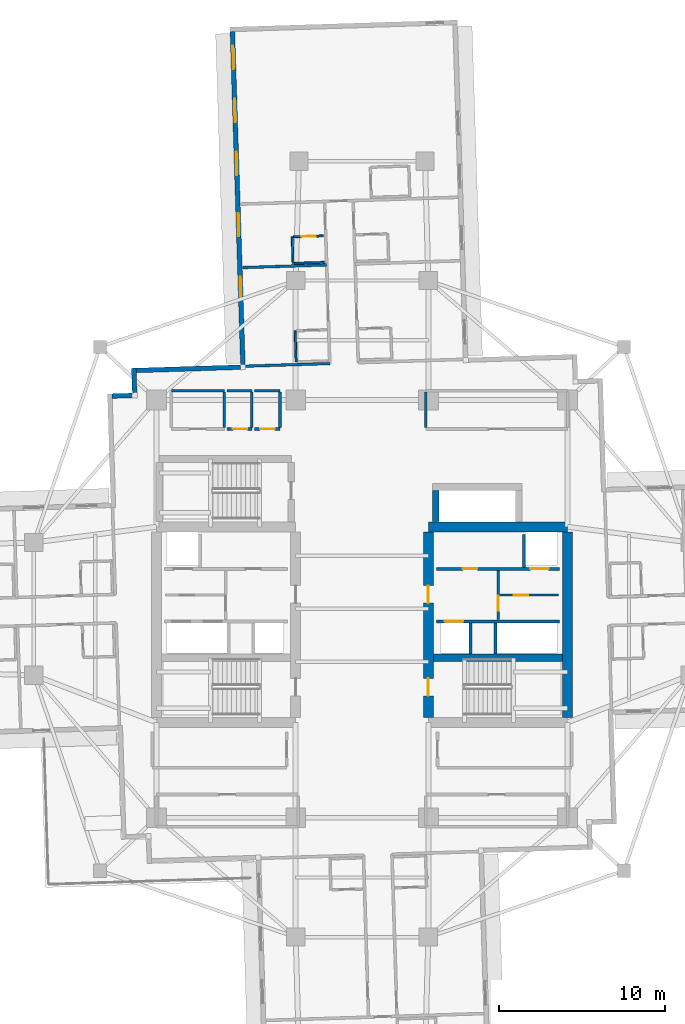
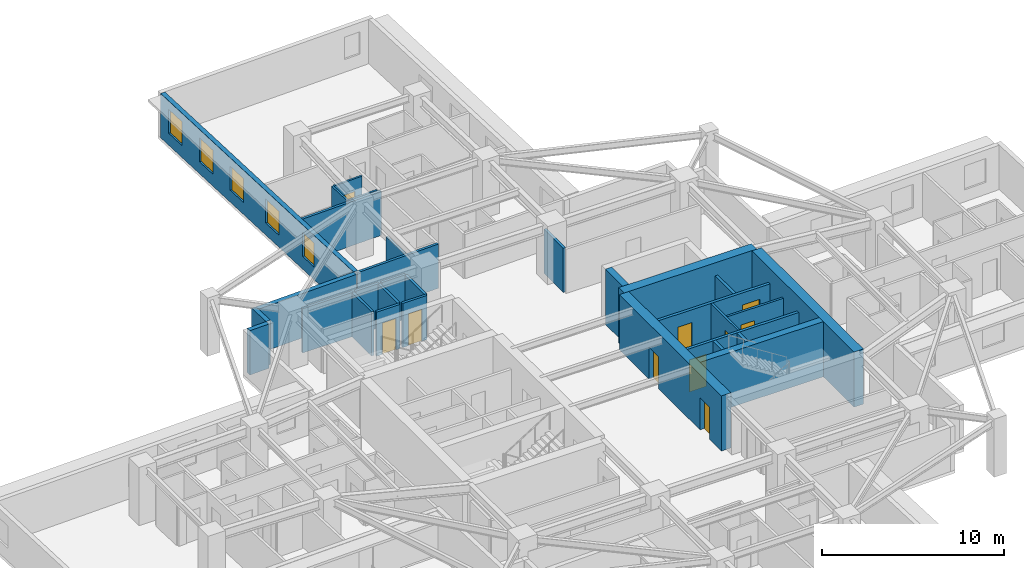
# One storey, part 6 of 14: 31 walls, 10 doors, 5 windows, 15 openings.
"""IFC4 building model written with IfcOpenShell, lengths in metres."""

from ifc_helpers import new_model, si_unit, direction, frame, frame_2d, origin, place, context, subcontext, project, spatial, rectangle, extrude, material, layer, layer_set, type_object, element, fill, save


model = new_model("IFC4")

# Units and contexts
model_context = context("Model", 3, precision=1e-05, world=origin(), true_north=direction((0.0, 1.0)))
body_context = subcontext(model_context, "Body", "Model", "MODEL_VIEW")
ifc_project = project(units=[si_unit("LENGTHUNIT", "METRE"), si_unit("AREAUNIT", "SQUARE_METRE"), si_unit("VOLUMEUNIT", "CUBIC_METRE"), si_unit("PLANEANGLEUNIT", "RADIAN"), si_unit("MASSUNIT", "GRAM", prefix="KILO")], contexts=[model_context])

# Site, building, storey
site_placement = place(None, origin())
site = spatial("IfcSite", under=ifc_project, at=site_placement, CompositionType="ELEMENT")
building_placement = place(site_placement, origin())
building = spatial("IfcBuilding", under=site, at=building_placement, Name="Qingluan Cross Belvedere", CompositionType="ELEMENT")
storey_placement = place(building_placement, frame((0.0, 0.0, 112.5)))
storey = spatial("IfcBuildingStorey", under=building, at=storey_placement, Name="L28", CompositionType="ELEMENT", Elevation=112.5)

# Walls
ifc_material_1 = material(Name="Concrete C50", Category="concrete")
ifc_layer_1 = layer(ifc_material_1, 0.449951171875, Name="CoreShearWall_450")
ifc_layer_set_1 = layer_set([ifc_layer_1], Name="Concrete C50")
wall_type_1 = type_object("IfcWallType", Name="CoreShearWall_450", PredefinedType="SHEAR", material=ifc_layer_set_1)
wall_1_placement = place(storey_placement, frame((4.304931640625, -2.9599609375, 0.0), z_axis=(0.0, 0.0, 1.0), x_axis=(1.0, 0.0, 0.0)))
element("IfcWall", 1, at=wall_1_placement, inside=storey, type_object=wall_type_1, Name="Split core E shear wall L28-M", PredefinedType="SHEAR", context=body_context, shape_type="SweptSolid", body=[
    extrude(rectangle(XDim=7.7900390625, YDim=0.449951171875, at=frame_2d((3.89501953125, 0.0))), origin(), (0.0, 0.0, 1.0), 3.699951171875),
])
wall_2_placement = place(storey_placement, frame((4.449951171875, 5.2548828125, 0.0), z_axis=(0.0, 0.0, 1.0), x_axis=(0.0, 1.0, 0.0)))
element("IfcWall", 2, at=wall_2_placement, inside=storey, type_object=wall_type_1, Name="Express shuttle core wall L28-W", PredefinedType="SHEAR", context=body_context, shape_type="SweptSolid", body=[
    extrude(rectangle(XDim=1.885009765625, YDim=0.39990234375, at=frame_2d((0.9423828125, 0.0))), origin(), (0.0, 0.0, 1.0), 3.699951171875),
])
ifc_material_2 = material(Name="Concrete C60", Category="concrete")
ifc_layer_2 = layer(ifc_material_2, 0.60009765625, Name="CoreShearWall_600")
ifc_layer_set_2 = layer_set([ifc_layer_2], Name="Concrete C60")
wall_type_2 = type_object("IfcWallType", Name="CoreShearWall_600", PredefinedType="SHEAR", material=ifc_layer_set_2)
wall_3_placement = place(storey_placement, frame((4.0, 4.949951171875, 0.0), z_axis=(0.0, 0.0, 1.0), x_axis=(1.0, 0.0, 0.0)))
element("IfcWall", 3, at=wall_3_placement, inside=storey, type_object=wall_type_2, Name="Split core E shear wall L28-N", PredefinedType="SHEAR", context=body_context, shape_type="SweptSolid", body=[
    extrude(rectangle(XDim=8.39990234375, YDim=0.60009765625, at=frame_2d((4.199951171875, 0.0))), origin(), (0.0, 0.0, 1.0), 3.699951171875),
])

# Wall, openings, doors
wall_4_placement = place(storey_placement, frame((4.0, -6.544921875, 0.0), z_axis=(0.0, 0.0, 1.0), x_axis=(0.0, 1.0, 0.0)))
wall_4 = element("IfcWall", 4, at=wall_4_placement, inside=storey, type_object=wall_type_2, Name="Split core E shear wall L28-W", PredefinedType="SHEAR", context=body_context, shape_type="SweptSolid", body=[
    extrude(rectangle(XDim=11.18994140625, YDim=0.60009765625, at=frame_2d((5.594970703125, 0.0))), origin(), (0.0, 0.0, 1.0), 3.699951171875),
])
opening_1_placement = place(wall_4_placement, frame((1.294921875, 0.0, 0.0)))
opening_1 = element("IfcOpeningElement", 5, at=opening_1_placement, cuts=wall_4, Name="Opening FD-B11", PredefinedType="OPENING", context=body_context, shape_type="SweptSolid", body=[
    extrude(rectangle(XDim=1.050048828125, YDim=2.14990234375, at=frame_2d((0.52490234375, 1.074951171875))), frame((0.0, 0.31005859375, 0.0), z_axis=(0.0, -1.0, 0.0), x_axis=(1.0, 0.0, 0.0)), (0.0, 0.0, 1.0), 0.6201171875),
])
opening_2_placement = place(wall_4_placement, frame((6.89501953125, 0.0, 0.0)))
opening_2 = element("IfcOpeningElement", 6, at=opening_2_placement, cuts=wall_4, Name="Opening FD-B11", PredefinedType="OPENING", context=body_context, shape_type="SweptSolid", body=[
    extrude(rectangle(XDim=1.050048828125, YDim=2.14990234375, at=frame_2d((0.52490234375, 1.074951171875))), frame((0.0, 0.31005859375, 0.0), z_axis=(0.0, -1.0, 0.0), x_axis=(1.0, 0.0, 0.0)), (0.0, 0.0, 1.0), 0.6201171875),
])
ifc_material_3 = material(Name="Steel Class B smoke-seal fire door", Category="steel")
door_type_1 = type_object("IfcDoorType", Name="StairLobbyFireDoor_FDB", OperationType="NOTDEFINED", PredefinedType="DOOR", material=ifc_material_3)
door_1_placement = place(opening_1_placement, origin())
door_1 = element("IfcDoor", 7, at=door_1_placement, inside=storey, type_object=door_type_1, Name="Smoke-proof stair ST2 fire door L28", OperationType="SINGLE_SWING_LEFT", OverallHeight=2.14990234375, OverallWidth=1.050048828125, PredefinedType="DOOR", context=body_context, shape_type="SweptSolid", body=[
    extrude(rectangle(XDim=1.050048828125, YDim=2.14990234375, at=frame_2d((0.52490234375, 1.074951171875))), frame((0.0, 0.02490234375, 0.0), z_axis=(0.0, -1.0, 0.0), x_axis=(1.0, 0.0, 0.0)), (0.0, 0.0, 1.0), 0.050048828125),
])
fill(opening_1, door_1)
door_2_placement = place(opening_2_placement, origin())
door_2 = element("IfcDoor", 8, at=door_2_placement, inside=storey, type_object=door_type_1, Name="Firefighting lobby East fire door L28", OperationType="SINGLE_SWING_LEFT", OverallHeight=2.14990234375, OverallWidth=1.050048828125, PredefinedType="DOOR", context=body_context, shape_type="SweptSolid", body=[
    extrude(rectangle(XDim=1.050048828125, YDim=2.14990234375, at=frame_2d((0.52490234375, 1.074951171875))), frame((0.0, 0.02490234375, 0.0), z_axis=(0.0, -1.0, 0.0), x_axis=(1.0, 0.0, 0.0)), (0.0, 0.0, 1.0), 0.050048828125),
])
fill(opening_2, door_2)

# Wall
wall_5_placement = place(storey_placement, frame((12.39990234375, -6.544921875, 0.0), z_axis=(0.0, 0.0, 1.0), x_axis=(0.0, 1.0, 0.0)))
element("IfcWall", 9, at=wall_5_placement, inside=storey, type_object=wall_type_2, Name="Split core E shear wall L28-E", PredefinedType="SHEAR", context=body_context, shape_type="SweptSolid", body=[
    extrude(rectangle(XDim=11.18994140625, YDim=0.60009765625, at=frame_2d((5.594970703125, 0.0))), origin(), (0.0, 0.0, 1.0), 3.699951171875),
])

# Wall, opening, door
ifc_material_4 = material(Name="Gypsum plasterboard on steel stud acoustic partition", Category="steel")
ifc_layer_3 = layer(ifc_material_4, 0.159912109375, Name="CorridorPartition_160")
ifc_layer_set_3 = layer_set([ifc_layer_3], Name="Gypsum plasterboard on steel stud acoustic partition")
wall_type_3 = type_object("IfcWallType", Name="CorridorPartition_160", PredefinedType="PARTITIONING", material=ifc_layer_set_3)
wall_6_placement = place(storey_placement, frame((8.298095703125, 0.830078125, 0.0), z_axis=(0.0, 0.0, 1.0), x_axis=(1.0, 0.0, 0.0)))
wall_6 = element("IfcWall", 10, at=wall_6_placement, inside=storey, type_object=wall_type_3, Name="Partition L28:e", PredefinedType="PARTITIONING", context=body_context, shape_type="SweptSolid", body=[
    extrude(rectangle(XDim=3.552001953125, YDim=0.139892578125, at=frame_2d((1.77587890625, 0.0))), origin(), (0.0, 0.0, 1.0), 2.9599609375),
])
opening_3_placement = place(wall_6_placement, frame((0.85009765625, 0.0, 0.0)))
opening_3 = element("IfcOpeningElement", 11, at=opening_3_placement, cuts=wall_6, Name="Opening FD-B10", PredefinedType="OPENING", context=body_context, shape_type="SweptSolid", body=[
    extrude(rectangle(XDim=0.8798828125, YDim=2.10009765625, at=frame_2d((0.43994140625, 1.050048828125))), frame((0.0, 0.079833984375, 0.0), z_axis=(0.0, -1.0, 0.0), x_axis=(1.0, 0.0, 0.0)), (0.0, 0.0, 1.0), 0.159912109375),
])
ifc_material_5 = material(Name="Steel Class B service fire door", Category="steel")
door_type_2 = type_object("IfcDoorType", Name="RiserServiceFireDoor_FDB", OperationType="NOTDEFINED", PredefinedType="DOOR", material=ifc_material_5)
door_3_placement = place(opening_3_placement, origin())
door_3 = element("IfcDoor", 12, at=door_3_placement, inside=storey, type_object=door_type_2, Name="Service closet inner door L28", OperationType="SINGLE_SWING_RIGHT", OverallHeight=2.10009765625, OverallWidth=0.8798828125, PredefinedType="DOOR", context=body_context, shape_type="SweptSolid", body=[
    extrude(rectangle(XDim=0.8798828125, YDim=2.10009765625, at=frame_2d((0.43994140625, 1.050048828125))), frame((0.0, 0.02490234375, 0.0), z_axis=(0.0, -1.0, 0.0), x_axis=(1.0, 0.0, 0.0)), (0.0, 0.0, 1.0), 0.050048828125),
])
fill(opening_3, door_3)

# Walls
wall_7_placement = place(storey_placement, frame((-11.5, 13.14990234375, 0.0), z_axis=(0.0, 0.0, 1.0), x_axis=(1.0, 0.0, 0.0)))
element("IfcWall", 13, at=wall_7_placement, inside=storey, type_object=wall_type_3, Name="Partition L28:q_nw_occ:N", PredefinedType="PARTITIONING", context=body_context, shape_type="SweptSolid", body=[
    extrude(rectangle(XDim=3.199951171875, YDim=0.159912109375, at=frame_2d((1.60009765625, 0.0))), origin(), (0.0, 0.0, 1.0), 2.9599609375),
])
wall_8_placement = place(storey_placement, frame((-8.300048828125, 10.93505859375, 0.0), z_axis=(0.0, 0.0, 1.0), x_axis=(0.0, 1.0, 0.0)))
element("IfcWall", 14, at=wall_8_placement, inside=storey, type_object=wall_type_3, Name="Partition L28:q_nw_occ:E", PredefinedType="PARTITIONING", context=body_context, shape_type="SweptSolid", body=[
    extrude(rectangle(XDim=2.1298828125, YDim=0.159912109375, at=frame_2d((1.06494140625, 0.0))), origin(), (0.0, 0.0, 1.0), 2.9599609375),
])

# Wall, opening, door
wall_9_placement = place(storey_placement, frame((-8.139892578125, 10.85009765625, 0.0), z_axis=(0.0, 0.0, 1.0), x_axis=(1.0, 0.0, 0.0)))
wall_9 = element("IfcWall", 15, at=wall_9_placement, inside=storey, type_object=wall_type_3, Name="Partition L28:hk_linen:S", PredefinedType="PARTITIONING", context=body_context, shape_type="SweptSolid", body=[
    extrude(rectangle(XDim=1.489990234375, YDim=0.159912109375, at=frame_2d((0.7451171875, 0.0))), origin(), (0.0, 0.0, 1.0), 2.9599609375),
])
opening_4_placement = place(wall_9_placement, frame((0.35009765625, 0.0, 0.0)))
opening_4 = element("IfcOpeningElement", 16, at=opening_4_placement, cuts=wall_9, Name="Opening FD-B10", PredefinedType="OPENING", context=body_context, shape_type="SweptSolid", body=[
    extrude(rectangle(XDim=0.8798828125, YDim=2.10009765625, at=frame_2d((0.43994140625, 1.050048828125))), frame((0.0, 0.08984375, 0.0), z_axis=(0.0, -1.0, 0.0), x_axis=(1.0, 0.0, 0.0)), (0.0, 0.0, 1.0), 0.179931640625),
])
door_4_placement = place(opening_4_placement, origin())
door_4 = element("IfcDoor", 17, at=door_4_placement, inside=storey, type_object=door_type_2, Name="Housekeeping and linen store L28 door", OperationType="SINGLE_SWING_LEFT", OverallHeight=2.10009765625, OverallWidth=0.8798828125, PredefinedType="DOOR", context=body_context, shape_type="SweptSolid", body=[
    extrude(rectangle(XDim=0.8798828125, YDim=2.10009765625, at=frame_2d((0.43994140625, 1.050048828125))), frame((0.0, 0.02490234375, 0.0), z_axis=(0.0, -1.0, 0.0), x_axis=(1.0, 0.0, 0.0)), (0.0, 0.0, 1.0), 0.050048828125),
])
fill(opening_4, door_4)

# Walls
wall_10_placement = place(storey_placement, frame((-8.139892578125, 13.14990234375, 0.0), z_axis=(0.0, 0.0, 1.0), x_axis=(1.0, 0.0, 0.0)))
element("IfcWall", 18, at=wall_10_placement, inside=storey, type_object=wall_type_3, Name="Partition L28:hk_linen:N", PredefinedType="PARTITIONING", context=body_context, shape_type="SweptSolid", body=[
    extrude(rectangle(XDim=1.489990234375, YDim=0.159912109375, at=frame_2d((0.7451171875, 0.0))), origin(), (0.0, 0.0, 1.0), 2.9599609375),
])
wall_11_placement = place(storey_placement, frame((-6.64990234375, 10.93505859375, 0.0), z_axis=(0.0, 0.0, 1.0), x_axis=(0.0, 1.0, 0.0)))
element("IfcWall", 19, at=wall_11_placement, inside=storey, type_object=wall_type_3, Name="Partition L28:hk_linen:E", PredefinedType="PARTITIONING", context=body_context, shape_type="SweptSolid", body=[
    extrude(rectangle(XDim=2.1298828125, YDim=0.159912109375, at=frame_2d((1.06494140625, 0.0))), origin(), (0.0, 0.0, 1.0), 2.9599609375),
])

# Wall, opening, door
wall_12_placement = place(storey_placement, frame((-6.489990234375, 10.85009765625, 0.0), z_axis=(0.0, 0.0, 1.0), x_axis=(1.0, 0.0, 0.0)))
wall_12 = element("IfcWall", 20, at=wall_12_placement, inside=storey, type_object=wall_type_3, Name="Partition L28:floor_acc_wc:S", PredefinedType="PARTITIONING", context=body_context, shape_type="SweptSolid", body=[
    extrude(rectangle(XDim=1.5400390625, YDim=0.159912109375, at=frame_2d((0.77001953125, 0.0))), origin(), (0.0, 0.0, 1.0), 2.9599609375),
])
opening_5_placement = place(wall_12_placement, frame((0.35009765625, 0.0, 0.0)))
opening_5 = element("IfcOpeningElement", 21, at=opening_5_placement, cuts=wall_12, Name="Opening BD-08", PredefinedType="OPENING", context=body_context, shape_type="SweptSolid", body=[
    extrude(rectangle(XDim=0.8798828125, YDim=2.14990234375, at=frame_2d((0.43994140625, 1.074951171875))), frame((0.0, 0.08984375, 0.0), z_axis=(0.0, -1.0, 0.0), x_axis=(1.0, 0.0, 0.0)), (0.0, 0.0, 1.0), 0.179931640625),
])
ifc_material_6 = material(Name="Moisture-sealed timber accessible WC door", Category="wood")
door_type_3 = type_object("IfcDoorType", Name="AccessibleWCDoor_880", OperationType="NOTDEFINED", PredefinedType="DOOR", material=ifc_material_6)
door_5_placement = place(opening_5_placement, origin())
door_5 = element("IfcDoor", 22, at=door_5_placement, inside=storey, type_object=door_type_3, Name="Accessible guest washroom L28 door", OperationType="SINGLE_SWING_RIGHT", OverallHeight=2.14990234375, OverallWidth=0.8798828125, PredefinedType="DOOR", context=body_context, shape_type="SweptSolid", body=[
    extrude(rectangle(XDim=0.8798828125, YDim=2.14990234375, at=frame_2d((0.43994140625, 1.074951171875))), frame((0.0, 0.02490234375, 0.0), z_axis=(0.0, -1.0, 0.0), x_axis=(1.0, 0.0, 0.0)), (0.0, 0.0, 1.0), 0.050048828125),
])
fill(opening_5, door_5)

# Walls
wall_13_placement = place(storey_placement, frame((-6.489990234375, 13.14990234375, 0.0), z_axis=(0.0, 0.0, 1.0), x_axis=(1.0, 0.0, 0.0)))
element("IfcWall", 23, at=wall_13_placement, inside=storey, type_object=wall_type_3, Name="Partition L28:floor_acc_wc:N", PredefinedType="PARTITIONING", context=body_context, shape_type="SweptSolid", body=[
    extrude(rectangle(XDim=1.5400390625, YDim=0.159912109375, at=frame_2d((0.77001953125, 0.0))), origin(), (0.0, 0.0, 1.0), 2.9599609375),
])
for number, where, z_axis, x_axis, name in (
    (24, (-4.949951171875, 10.93505859375, 0.0), (0.0, 0.0, 1.0), (0.0, 1.0, 0.0), "Partition L28:floor_acc_wc:E"),
    (25, (3.85009765625, 10.93505859375, 0.0), (0.0, 0.0, 1.0), (0.0, 1.0, 0.0), "Partition L28:q_ne:W"),
):
    element("IfcWall", number, at=place(storey_placement, frame(where, z_axis=z_axis, x_axis=x_axis)), inside=storey, type_object=wall_type_3, Name=name, PredefinedType="PARTITIONING", context=body_context, shape_type="SweptSolid", body=[
        extrude(rectangle(XDim=2.1298828125, YDim=0.159912109375, at=frame_2d((1.06494140625, 0.0))), origin(), (0.0, 0.0, 1.0), 2.9599609375),
    ])
wall_14_placement = place(storey_placement, frame((-1.94580078125, 14.796142578125, 0.0), z_axis=(0.0, 0.0, 1.0), x_axis=(-0.999506788914, -0.031403485723, 0.0)))
element("IfcWall", 26, at=wall_14_placement, inside=storey, type_object=wall_type_3, Name="Partition L28:N:s1", PredefinedType="PARTITIONING", context=body_context, shape_type="SweptSolid", body=[
    extrude(rectangle(XDim=5.239990234375, YDim=0.159912109375, at=frame_2d((2.6201171875, 0.0))), origin(), (0.0, 0.0, 1.0), 2.9599609375),
])
wall_15_placement = place(storey_placement, frame((-2.132568359375, 20.7431640625, 0.0), z_axis=(0.0, 0.0, 1.0), x_axis=(-0.999506776146, -0.031403892089, 0.0)))
element("IfcWall", 27, at=wall_15_placement, inside=storey, type_object=wall_type_3, Name="Partition L28:N:d1_0", PredefinedType="PARTITIONING", context=body_context, shape_type="SweptSolid", body=[
    extrude(rectangle(XDim=5.092041015625, YDim=0.159912109375, at=frame_2d((2.5458984375, 0.0))), origin(), (0.0, 0.0, 1.0), 2.9599609375),
])
ifc_material_7 = material(Name="Moisture-resistant gypsum board lining")
ifc_layer_4 = layer(ifc_material_7, 0.1201171875, Name="EnsuiteWetPartition_120")
ifc_layer_set_4 = layer_set([ifc_layer_4], Name="Moisture-resistant gypsum board lining")
wall_type_4 = type_object("IfcWallType", Name="EnsuiteWetPartition_120", PredefinedType="PARTITIONING", material=ifc_layer_set_4)
wall_16_placement = place(storey_placement, frame((-3.974609375, 14.892578125, 0.0), z_axis=(0.0, 0.0, 1.0), x_axis=(-0.031429371883, 0.999505975261, 0.0)))
element("IfcWall", 28, at=wall_16_placement, inside=storey, type_object=wall_type_4, Name="Partition L28:N:bc1_0", PredefinedType="PARTITIONING", context=body_context, shape_type="SweptSolid", body=[
    extrude(rectangle(XDim=1.8798828125, YDim=0.1201171875, at=frame_2d((0.93994140625, 0.0))), origin(), (0.0, 0.0, 1.0), 2.9599609375),
])

# Wall, opening, door
wall_17_placement = place(storey_placement, frame((-4.14697265625, 22.44091796875, 0.0), z_axis=(0.0, 0.0, 1.0), x_axis=(0.999507221803, 0.031389704724, 0.0)))
wall_17 = element("IfcWall", 29, at=wall_17_placement, inside=storey, type_object=wall_type_4, Name="Partition L28:N:bs1_1", PredefinedType="PARTITIONING", context=body_context, shape_type="SweptSolid", body=[
    extrude(rectangle(XDim=1.820068359375, YDim=0.1201171875, at=frame_2d((0.91015625, 0.0))), origin(), (0.0, 0.0, 1.0), 2.9599609375),
])
opening_6_placement = place(wall_17_placement, frame((0.469970703125, 0.0, 0.0)))
opening_6 = element("IfcOpeningElement", 30, at=opening_6_placement, cuts=wall_17, Name="Opening BD-09", PredefinedType="OPENING", context=body_context, shape_type="SweptSolid", body=[
    extrude(rectangle(XDim=0.8798828125, YDim=2.10009765625, at=frame_2d((0.43994140625, 1.050048828125))), frame((0.0, 0.070068359375, 0.0), z_axis=(0.0, -1.0, 0.0), x_axis=(1.0, 0.0, 0.0)), (0.0, 0.0, 1.0), 0.14013671875),
])
ifc_material_8 = material(Name="Moisture-sealed timber en-suite door", Category="wood")
door_type_4 = type_object("IfcDoorType", Name="BathroomDoor_880", OperationType="NOTDEFINED", PredefinedType="DOOR", material=ifc_material_8)
door_6_placement = place(opening_6_placement, origin())
door_6 = element("IfcDoor", 31, at=door_6_placement, inside=storey, type_object=door_type_4, Name="Bathroom door 2814", OperationType="SINGLE_SWING_LEFT", OverallHeight=2.10009765625, OverallWidth=0.8798828125, PredefinedType="DOOR", context=body_context, shape_type="SweptSolid", body=[
    extrude(rectangle(XDim=0.8798828125, YDim=2.10009765625, at=frame_2d((0.43994140625, 1.050048828125))), frame((0.0, 0.02490234375, 0.0), z_axis=(0.0, -1.0, 0.0), x_axis=(1.0, 0.0, 0.0)), (0.0, 0.0, 1.0), 0.050048828125),
])
fill(opening_6, door_6)

# Walls
wall_18_placement = place(storey_placement, frame((-4.0966796875, 20.841552734375, 0.0), z_axis=(0.0, 0.0, 1.0), x_axis=(0.999507221803, 0.031389704724, 0.0)))
element("IfcWall", 32, at=wall_18_placement, inside=storey, type_object=wall_type_4, Name="Partition L28:N:bw1_1", PredefinedType="PARTITIONING", context=body_context, shape_type="SweptSolid", body=[
    extrude(rectangle(XDim=1.820068359375, YDim=0.1201171875, at=frame_2d((0.91015625, 0.0))), origin(), (0.0, 0.0, 1.0), 2.9599609375),
])
wall_19_placement = place(storey_placement, frame((-4.16162109375, 20.839599609375, 0.0), z_axis=(0.0, 0.0, 1.0), x_axis=(-0.031434839006, 0.999505803333, 0.0)))
element("IfcWall", 33, at=wall_19_placement, inside=storey, type_object=wall_type_4, Name="Partition L28:N:bc1_1", PredefinedType="PARTITIONING", context=body_context, shape_type="SweptSolid", body=[
    extrude(rectangle(XDim=1.599853515625, YDim=0.1201171875, at=frame_2d((0.7998046875, 0.0))), origin(), (0.0, 0.0, 1.0), 2.9599609375),
])

# Wall, openings, windows
ifc_material_9 = material(Name="Precast concrete C45", Category="concrete")
ifc_layer_5 = layer(ifc_material_9, 0.280029296875, Name="PrecastFacadeWall_280")
ifc_layer_set_5 = layer_set([ifc_layer_5], Name="Precast concrete C45")
wall_type_5 = type_object("IfcWallType", Name="PrecastFacadeWall_280", PredefinedType="STANDARD", material=ifc_layer_set_5)
wall_20_placement = place(storey_placement, frame((-7.8173828125, 34.8115234375, 0.0), z_axis=(0.0, 0.0, 1.0), x_axis=(0.031410322165, -0.999506574096, 0.0)))
wall_20 = element("IfcWall", 34, at=wall_20_placement, inside=storey, type_object=wall_type_5, Name="Facade wall L28-NB", PredefinedType="STANDARD", context=body_context, shape_type="SweptSolid", body=[
    extrude(rectangle(XDim=20.10009765625, YDim=0.280029296875, at=frame_2d((10.050048828125, 0.0))), origin(), (0.0, 0.0, 1.0), 2.969970703125),
])
opening_7_placement = place(wall_20_placement, frame((0.85009765625, 0.0, 0.800048828125)))
opening_7 = element("IfcOpeningElement", 35, at=opening_7_placement, cuts=wall_20, Name="Opening W-01", PredefinedType="OPENING", context=body_context, shape_type="SweptSolid", body=[
    extrude(rectangle(XDim=1.39990234375, YDim=1.60009765625, at=frame_2d((0.699951171875, 0.800048828125))), frame((0.0, 0.14990234375, 0.0), z_axis=(0.0, -1.0, 0.0), x_axis=(1.0, 0.0, 0.0)), (0.0, 0.0, 1.0), 0.300048828125),
])
opening_8_placement = place(wall_20_placement, frame((4.050048828125, 0.0, 0.800048828125)))
opening_8 = element("IfcOpeningElement", 36, at=opening_8_placement, cuts=wall_20, Name="Opening W-01", PredefinedType="OPENING", context=body_context, shape_type="SweptSolid", body=[
    extrude(rectangle(XDim=1.39990234375, YDim=1.60009765625, at=frame_2d((0.699951171875, 0.800048828125))), frame((0.0, 0.14990234375, 0.0), z_axis=(0.0, -1.0, 0.0), x_axis=(1.0, 0.0, 0.0)), (0.0, 0.0, 1.0), 0.300048828125),
])
opening_9_placement = place(wall_20_placement, frame((7.25, 0.0, 0.800048828125)))
opening_9 = element("IfcOpeningElement", 37, at=opening_9_placement, cuts=wall_20, Name="Opening W-01", PredefinedType="OPENING", context=body_context, shape_type="SweptSolid", body=[
    extrude(rectangle(XDim=1.39990234375, YDim=1.60009765625, at=frame_2d((0.699951171875, 0.800048828125))), frame((0.0, 0.14990234375, 0.0), z_axis=(0.0, -1.0, 0.0), x_axis=(1.0, 0.0, 0.0)), (0.0, 0.0, 1.0), 0.300048828125),
])
opening_10_placement = place(wall_20_placement, frame((10.949951171875, 0.0, 0.800048828125)))
opening_10 = element("IfcOpeningElement", 38, at=opening_10_placement, cuts=wall_20, Name="Opening W-01", PredefinedType="OPENING", context=body_context, shape_type="SweptSolid", body=[
    extrude(rectangle(XDim=1.39990234375, YDim=1.60009765625, at=frame_2d((0.699951171875, 0.800048828125))), frame((0.0, 0.14990234375, 0.0), z_axis=(0.0, -1.0, 0.0), x_axis=(1.0, 0.0, 0.0)), (0.0, 0.0, 1.0), 0.300048828125),
])
opening_11_placement = place(wall_20_placement, frame((14.799072265625, 0.0, 0.85009765625)))
opening_11 = element("IfcOpeningElement", 39, at=opening_11_placement, cuts=wall_20, Name="Opening W-02", PredefinedType="OPENING", context=body_context, shape_type="SweptSolid", body=[
    extrude(rectangle(XDim=1.199951171875, YDim=1.60009765625, at=frame_2d((0.60009765625, 0.800048828125))), frame((0.0, 0.14990234375, 0.0), z_axis=(0.0, -1.0, 0.0), x_axis=(1.0, 0.0, 0.0)), (0.0, 0.0, 1.0), 0.300048828125),
])
ifc_material_10 = material(Name="Thermally broken triple Low-E glass in aluminium frame", Category="aluminium")
window_type_1 = type_object("IfcWindowType", Name="TriRibbonWin_1200x1600", PartitioningType="SINGLE_PANEL", PredefinedType="WINDOW", material=ifc_material_10)
window_1_placement = place(opening_11_placement, origin())
window_1 = element("IfcWindow", 40, at=window_1_placement, inside=storey, type_object=window_type_1, Name="Deluxe guest room 2813 daylight window", OverallHeight=1.60009765625, OverallWidth=1.199951171875, PartitioningType="SINGLE_PANEL", PredefinedType="WINDOW", context=body_context, shape_type="SweptSolid", body=[
    extrude(rectangle(XDim=1.199951171875, YDim=1.60009765625, at=frame_2d((0.60009765625, 0.800048828125))), frame((0.0, 0.030029296875, 0.0), z_axis=(0.0, -1.0, 0.0), x_axis=(1.0, 0.0, 0.0)), (0.0, 0.0, 1.0), 0.06005859375),
])
fill(opening_11, window_1)
ifc_material_11 = material(Name="Thermally broken triple Low-E glass in aluminium frame", Category="aluminium")
window_type_2 = type_object("IfcWindowType", Name="TriRibbonWin_1400x1600", PartitioningType="SINGLE_PANEL", PredefinedType="WINDOW", material=ifc_material_11)
window_2_placement = place(opening_7_placement, origin())
window_2 = element("IfcWindow", 41, at=window_2_placement, inside=storey, type_object=window_type_2, Name="Ribbon window L28-NB-1", OverallHeight=1.60009765625, OverallWidth=1.39990234375, PartitioningType="SINGLE_PANEL", PredefinedType="WINDOW", context=body_context, shape_type="SweptSolid", body=[
    extrude(rectangle(XDim=1.39990234375, YDim=1.60009765625, at=frame_2d((0.699951171875, 0.800048828125))), frame((0.0, 0.030029296875, 0.0), z_axis=(0.0, -1.0, 0.0), x_axis=(1.0, 0.0, 0.0)), (0.0, 0.0, 1.0), 0.06005859375),
])
fill(opening_7, window_2)
window_3_placement = place(opening_8_placement, origin())
window_3 = element("IfcWindow", 42, at=window_3_placement, inside=storey, type_object=window_type_2, Name="Ribbon window L28-NB-2", OverallHeight=1.60009765625, OverallWidth=1.39990234375, PartitioningType="SINGLE_PANEL", PredefinedType="WINDOW", context=body_context, shape_type="SweptSolid", body=[
    extrude(rectangle(XDim=1.39990234375, YDim=1.60009765625, at=frame_2d((0.699951171875, 0.800048828125))), frame((0.0, 0.030029296875, 0.0), z_axis=(0.0, -1.0, 0.0), x_axis=(1.0, 0.0, 0.0)), (0.0, 0.0, 1.0), 0.06005859375),
])
fill(opening_8, window_3)
window_4_placement = place(opening_9_placement, origin())
window_4 = element("IfcWindow", 43, at=window_4_placement, inside=storey, type_object=window_type_2, Name="Ribbon window L28-NB-3", OverallHeight=1.60009765625, OverallWidth=1.39990234375, PartitioningType="SINGLE_PANEL", PredefinedType="WINDOW", context=body_context, shape_type="SweptSolid", body=[
    extrude(rectangle(XDim=1.39990234375, YDim=1.60009765625, at=frame_2d((0.699951171875, 0.800048828125))), frame((0.0, 0.030029296875, 0.0), z_axis=(0.0, -1.0, 0.0), x_axis=(1.0, 0.0, 0.0)), (0.0, 0.0, 1.0), 0.06005859375),
])
fill(opening_9, window_4)
window_5_placement = place(opening_10_placement, origin())
window_5 = element("IfcWindow", 44, at=window_5_placement, inside=storey, type_object=window_type_2, Name="Ribbon window L28-NB-4", OverallHeight=1.60009765625, OverallWidth=1.39990234375, PartitioningType="SINGLE_PANEL", PredefinedType="WINDOW", context=body_context, shape_type="SweptSolid", body=[
    extrude(rectangle(XDim=1.39990234375, YDim=1.60009765625, at=frame_2d((0.699951171875, 0.800048828125))), frame((0.0, 0.030029296875, 0.0), z_axis=(0.0, -1.0, 0.0), x_axis=(1.0, 0.0, 0.0)), (0.0, 0.0, 1.0), 0.06005859375),
])
fill(opening_10, window_5)

# Walls
wall_21_placement = place(storey_placement, frame((-15.070556640625, 12.8330078125, 0.0), z_axis=(0.0, 0.0, 1.0), x_axis=(0.999506398264, 0.031415916822, 0.0)))
element("IfcWall", 45, at=wall_21_placement, inside=storey, type_object=wall_type_5, Name="Corner wall L28-NW2", PredefinedType="STANDARD", context=body_context, shape_type="SweptSolid", body=[
    extrude(rectangle(XDim=1.219970703125, YDim=0.280029296875, at=frame_2d((0.60986328125, 0.0))), origin(), (0.0, 0.0, 1.0), 2.969970703125),
])
wall_22_placement = place(storey_placement, frame((-13.715576171875, 13.015625, 0.0), z_axis=(0.0, 0.0, 1.0), x_axis=(-0.031412596484, 0.999506502621, 0.0)))
element("IfcWall", 46, at=wall_22_placement, inside=storey, type_object=wall_type_5, Name="Corner wall L28-NW3", PredefinedType="STANDARD", context=body_context, shape_type="SweptSolid", body=[
    extrude(rectangle(XDim=1.5, YDim=0.280029296875, at=frame_2d((0.75, 0.0))), origin(), (0.0, 0.0, 1.0), 2.969970703125),
])
wall_23_placement = place(storey_placement, frame((-13.618408203125, 14.37939453125, 0.0), z_axis=(0.0, 0.0, 1.0), x_axis=(0.999507224741, 0.031389611199, 0.0)))
element("IfcWall", 47, at=wall_23_placement, inside=storey, type_object=wall_type_5, Name="Corner wall L28-NW4", PredefinedType="STANDARD", context=body_context, shape_type="SweptSolid", body=[
    extrude(rectangle(XDim=6.300048828125, YDim=0.280029296875, at=frame_2d((3.14990234375, 0.0))), origin(), (0.0, 0.0, 1.0), 2.969970703125),
])

# Wall, openings, doors
ifc_material_12 = material(Name="Concrete C40", Category="concrete")
ifc_layer_6 = layer(ifc_material_12, 0.219970703125, Name="ShaftEnclosureWall_250")
ifc_layer_set_6 = layer_set([ifc_layer_6], Name="Concrete C40")
wall_type_6 = type_object("IfcWallType", Name="ShaftEnclosureWall_250", PredefinedType="SOLIDWALL", material=ifc_layer_set_6)
wall_24_placement = place(storey_placement, frame((4.47998046875, 2.409912109375, 0.0), z_axis=(0.0, 0.0, 1.0), x_axis=(1.0, 0.0, 0.0)))
wall_24 = element("IfcWall", 48, at=wall_24_placement, inside=storey, type_object=wall_type_6, Name="Core-E north hoistway wall L28", PredefinedType="SOLIDWALL", context=body_context, shape_type="SweptSolid", body=[
    extrude(rectangle(XDim=7.419921875, YDim=0.179931640625, at=frame_2d((3.7099609375, 0.0))), origin(), (0.0, 0.0, 1.0), 2.9599609375),
])
opening_12_placement = place(wall_24_placement, frame((5.669921875, 0.0, 0.0)))
opening_12 = element("IfcOpeningElement", 49, at=opening_12_placement, cuts=wall_24, Name="Opening LD-11", PredefinedType="OPENING", context=body_context, shape_type="SweptSolid", body=[
    extrude(rectangle(XDim=1.10009765625, YDim=2.14990234375, at=frame_2d((0.550048828125, 1.074951171875))), frame((0.0, 0.099853515625, 0.0), z_axis=(0.0, -1.0, 0.0), x_axis=(1.0, 0.0, 0.0)), (0.0, 0.0, 1.0), 0.199951171875),
])
opening_13_placement = place(wall_24_placement, frame((1.60009765625, 0.0, 0.0)))
opening_13 = element("IfcOpeningElement", 50, at=opening_13_placement, cuts=wall_24, Name="Opening FD-B10", PredefinedType="OPENING", context=body_context, shape_type="SweptSolid", body=[
    extrude(rectangle(XDim=0.8798828125, YDim=2.10009765625, at=frame_2d((0.43994140625, 1.050048828125))), frame((0.0, 0.099853515625, 0.0), z_axis=(0.0, -1.0, 0.0), x_axis=(1.0, 0.0, 0.0)), (0.0, 0.0, 1.0), 0.199951171875),
])
ifc_material_13 = material(Name="Brushed stainless steel centre-opening lift landing door", Category="steel")
door_type_5 = type_object("IfcDoorType", Name="LiftLandingSlidingDoor_1100", OperationType="DOUBLE_DOOR_SLIDING", PredefinedType="DOOR", material=ifc_material_13)
door_7_placement = place(opening_12_placement, origin())
door_7 = element("IfcDoor", 51, at=door_7_placement, inside=storey, type_object=door_type_5, Name="Lift landing sliding door FL2 L28", OperationType="DOUBLE_DOOR_SLIDING", OverallHeight=2.14990234375, OverallWidth=1.10009765625, PredefinedType="DOOR", context=body_context, shape_type="SweptSolid", body=[
    extrude(rectangle(XDim=1.10009765625, YDim=2.14990234375, at=frame_2d((0.550048828125, 1.074951171875))), frame((0.0, 0.02490234375, 0.0), z_axis=(0.0, -1.0, 0.0), x_axis=(1.0, 0.0, 0.0)), (0.0, 0.0, 1.0), 0.050048828125),
])
fill(opening_12, door_7)
door_8_placement = place(opening_13_placement, origin())
door_8 = element("IfcDoor", 52, at=door_8_placement, inside=storey, type_object=door_type_2, Name="Pantry room door E L28", OperationType="SINGLE_SWING_RIGHT", OverallHeight=2.10009765625, OverallWidth=0.8798828125, PredefinedType="DOOR", context=body_context, shape_type="SweptSolid", body=[
    extrude(rectangle(XDim=0.8798828125, YDim=2.10009765625, at=frame_2d((0.43994140625, 1.050048828125))), frame((0.0, 0.02490234375, 0.0), z_axis=(0.0, -1.0, 0.0), x_axis=(1.0, 0.0, 0.0)), (0.0, 0.0, 1.0), 0.050048828125),
])
fill(opening_13, door_8)

# Wall, opening, door
wall_25_placement = place(storey_placement, frame((4.47998046875, -0.75, 0.0), z_axis=(0.0, 0.0, 1.0), x_axis=(1.0, 0.0, 0.0)))
wall_25 = element("IfcWall", 53, at=wall_25_placement, inside=storey, type_object=wall_type_6, Name="Core-E mid hoistway wall L28", PredefinedType="SOLIDWALL", context=body_context, shape_type="SweptSolid", body=[
    extrude(rectangle(XDim=7.419921875, YDim=0.179931640625, at=frame_2d((3.7099609375, 0.0))), origin(), (0.0, 0.0, 1.0), 2.9599609375),
])
opening_14_placement = place(wall_25_placement, frame((0.52001953125, 0.0, 0.0)))
opening_14 = element("IfcOpeningElement", 54, at=opening_14_placement, cuts=wall_25, Name="Opening LD-11", PredefinedType="OPENING", context=body_context, shape_type="SweptSolid", body=[
    extrude(rectangle(XDim=1.10009765625, YDim=2.14990234375, at=frame_2d((0.550048828125, 1.074951171875))), frame((0.0, 0.099853515625, 0.0), z_axis=(0.0, -1.0, 0.0), x_axis=(1.0, 0.0, 0.0)), (0.0, 0.0, 1.0), 0.199951171875),
])
door_9_placement = place(opening_14_placement, origin())
door_9 = element("IfcDoor", 55, at=door_9_placement, inside=storey, type_object=door_type_5, Name="Lift landing sliding door LP7 L28", OperationType="DOUBLE_DOOR_SLIDING", OverallHeight=2.14990234375, OverallWidth=1.10009765625, PredefinedType="DOOR", context=body_context, shape_type="SweptSolid", body=[
    extrude(rectangle(XDim=1.10009765625, YDim=2.14990234375, at=frame_2d((0.550048828125, 1.074951171875))), frame((0.0, 0.02490234375, 0.0), z_axis=(0.0, -1.0, 0.0), x_axis=(1.0, 0.0, 0.0)), (0.0, 0.0, 1.0), 0.050048828125),
])
fill(opening_14, door_9)

# Walls
wall_26_placement = place(storey_placement, frame((9.760009765625, 2.5, 0.0), z_axis=(0.0, 0.0, 1.0), x_axis=(0.0, 1.0, 0.0)))
element("IfcWall", 56, at=wall_26_placement, inside=storey, type_object=wall_type_6, Name="Hoistway enclosure divider FL2W L28", PredefinedType="SOLIDWALL", context=body_context, shape_type="SweptSolid", body=[
    extrude(rectangle(XDim=1.989990234375, YDim=0.179931640625, at=frame_2d((0.9951171875, 0.0))), origin(), (0.0, 0.0, 1.0), 2.9599609375),
])
for number, where, z_axis, x_axis, name in (
    (57, (6.5400390625, -2.72998046875, 0.0), (0.0, 0.0, 1.0), (0.0, 1.0, 0.0), "Hoistway enclosure divider LP7E L28"),
    (58, (8.06005859375, -2.72998046875, 0.0), (0.0, 0.0, 1.0), (0.0, 1.0, 0.0), "Hoistway enclosure divider LP9W L28"),
):
    element("IfcWall", number, at=place(storey_placement, frame(where, z_axis=z_axis, x_axis=x_axis)), inside=storey, type_object=wall_type_6, Name=name, PredefinedType="SOLIDWALL", context=body_context, shape_type="SweptSolid", body=[
        extrude(rectangle(XDim=1.889892578125, YDim=0.179931640625, at=frame_2d((0.94482421875, 0.0))), origin(), (0.0, 0.0, 1.0), 2.9599609375),
    ])

# Wall, opening, door
wall_27_placement = place(storey_placement, frame((8.219970703125, -0.64990234375, 0.0), z_axis=(0.0, 0.0, 1.0), x_axis=(0.0, 1.0, 0.0)))
wall_27 = element("IfcWall", 59, at=wall_27_placement, inside=storey, type_object=wall_type_6, Name="Core-E service corridor wall L28", PredefinedType="SOLIDWALL", context=body_context, shape_type="SweptSolid", body=[
    extrude(rectangle(XDim=2.9599609375, YDim=0.139892578125, at=frame_2d((1.47998046875, 0.0))), origin(), (0.0, 0.0, 1.0), 2.9599609375),
])
opening_15_placement = place(wall_27_placement, frame((0.550048828125, 0.0, 0.0)))
opening_15 = element("IfcOpeningElement", 60, at=opening_15_placement, cuts=wall_27, Name="Opening FD-B10", PredefinedType="OPENING", context=body_context, shape_type="SweptSolid", body=[
    extrude(rectangle(XDim=0.8798828125, YDim=2.10009765625, at=frame_2d((0.43994140625, 1.050048828125))), frame((0.0, 0.079833984375, 0.0), z_axis=(0.0, -1.0, 0.0), x_axis=(1.0, 0.0, 0.0)), (0.0, 0.0, 1.0), 0.159912109375),
])
door_10_placement = place(opening_15_placement, origin())
door_10 = element("IfcDoor", 61, at=door_10_placement, inside=storey, type_object=door_type_2, Name="Core-E service room door L28", OperationType="SINGLE_SWING_RIGHT", OverallHeight=2.10009765625, OverallWidth=0.8798828125, PredefinedType="DOOR", context=body_context, shape_type="SweptSolid", body=[
    extrude(rectangle(XDim=0.8798828125, YDim=2.10009765625, at=frame_2d((0.43994140625, 1.050048828125))), frame((0.0, 0.02490234375, 0.0), z_axis=(0.0, -1.0, 0.0), x_axis=(1.0, 0.0, 0.0)), (0.0, 0.0, 1.0), 0.050048828125),
])
fill(opening_15, door_10)

save(model, "model.ifc")
